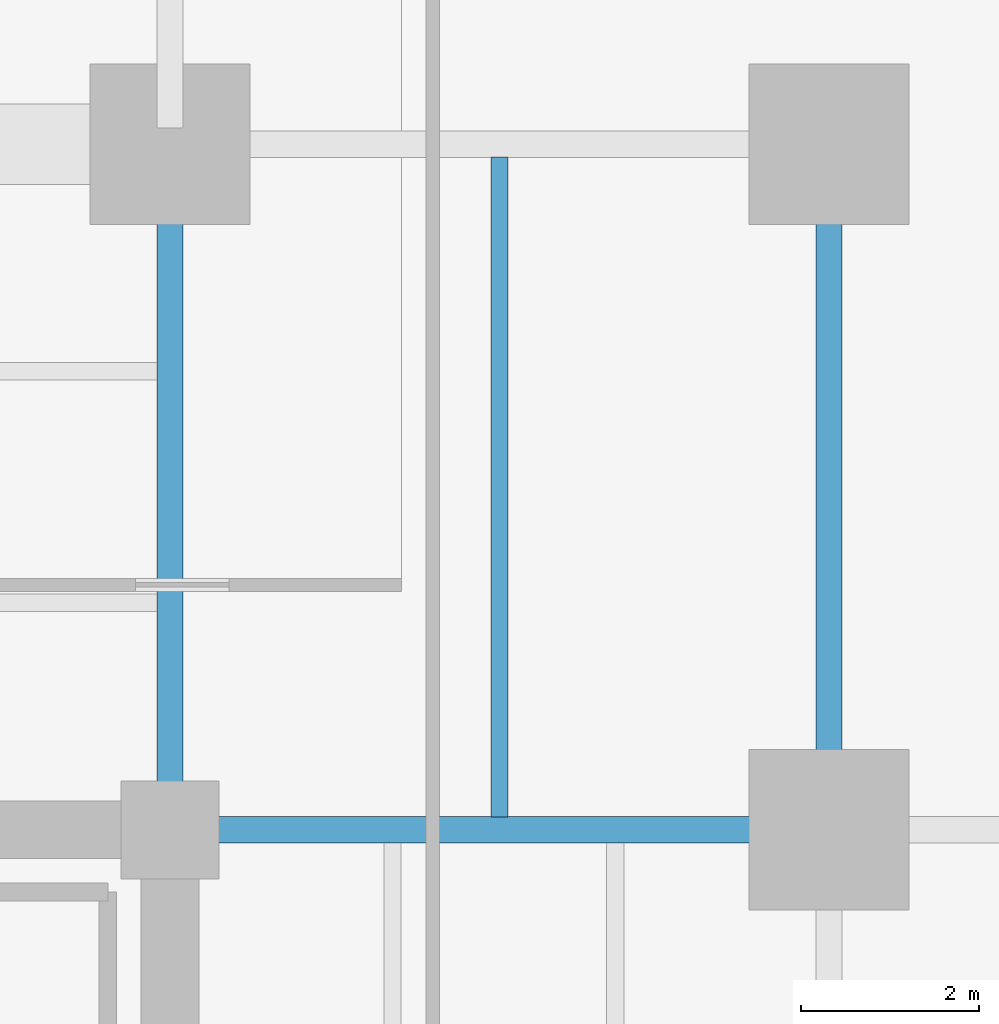
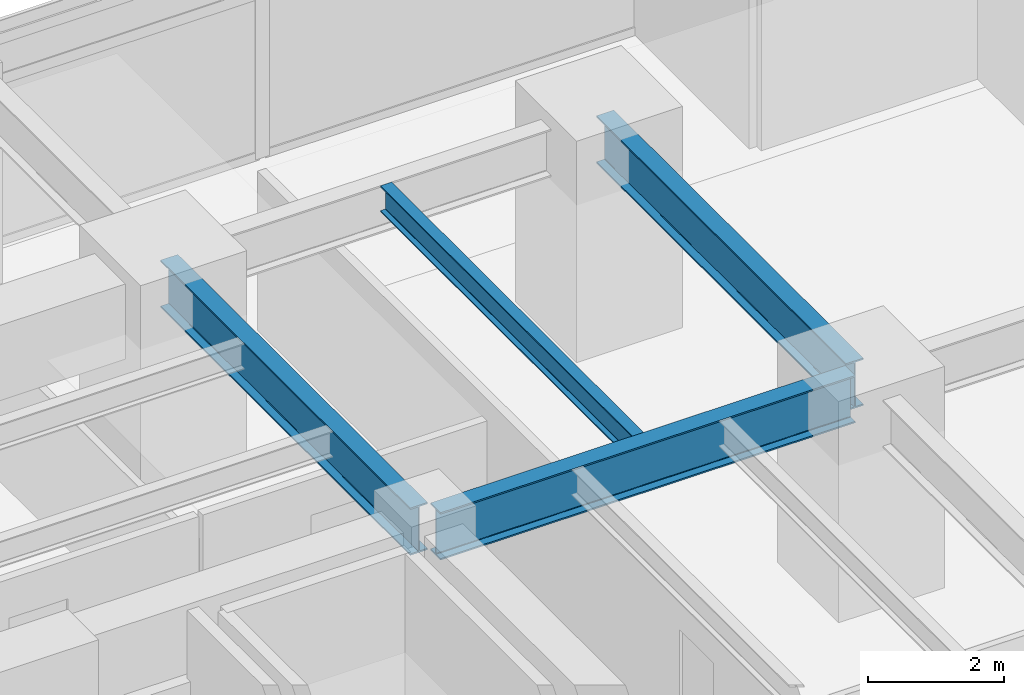
# One storey, part 12 of 24: 4 beams.
"""IFC4 building model written with IfcOpenShell, lengths in metres."""

from ifc_helpers import new_model, si_unit, direction, frame, origin, origin_2d, place, context, subcontext, project, spatial, i_section, extrude, material, material_profile, profile_set, type_object, element, save


model = new_model("IFC4")

# Units and contexts
model_context = context("Model", 3, precision=1e-05, world=origin(), true_north=direction((0.0, 1.0)))
body_context = subcontext(model_context, "Body", "Model", "MODEL_VIEW")
ifc_project = project(units=[si_unit("LENGTHUNIT", "METRE"), si_unit("AREAUNIT", "SQUARE_METRE"), si_unit("VOLUMEUNIT", "CUBIC_METRE"), si_unit("PLANEANGLEUNIT", "RADIAN"), si_unit("MASSUNIT", "GRAM", prefix="KILO")], contexts=[model_context])

# Site, building, storey
site_placement = place(None, origin())
site = spatial("IfcSite", under=ifc_project, at=site_placement, CompositionType="ELEMENT")
building_placement = place(site_placement, origin())
building = spatial("IfcBuilding", under=site, at=building_placement, Name="Kovane Verandah Tower", CompositionType="ELEMENT")
storey_placement = place(building_placement, frame((0.0, 0.0, 95.60009765625)))
storey = spatial("IfcBuildingStorey", under=building, at=storey_placement, Name="L22", CompositionType="ELEMENT", Elevation=95.60009765625)

# Beams
ifc_material = material(Name="Steel S355", Category="steel")
ifc_material_profile_1 = material_profile(ifc_material, i_section(OverallWidth=0.293701171875, OverallDepth=0.850830078125, WebThickness=0.01611328125, FlangeThickness=0.02685546875, FilletRadius=0.017822265625, at=origin_2d()), Name="UB838x292x226")
ifc_profile_set_1 = profile_set([ifc_material_profile_1], Name="Steel S355")
beam_type_1 = type_object("IfcBeamType", Name="BM-UB838x226", PredefinedType="BEAM", material=ifc_profile_set_1)
beam_1_placement = place(storey_placement, frame((58.39990234375, 36.679931640625, 3.33447265625), z_axis=(0.0, 1.0, 0.0), x_axis=(-1.0, 0.0, 0.0)))
element("IfcBeam", 1, at=beam_1_placement, inside=storey, type_object=beam_type_1, Name="L22 Primary Tower Girder G-RE3", PredefinedType="BEAM", context=body_context, shape_type="SweptSolid", body=[
    extrude(i_section(OverallWidth=0.293701171875, OverallDepth=0.850830078125, WebThickness=0.01611328125, FlangeThickness=0.02685546875, FilletRadius=0.017822265625, at=origin_2d()), origin(), (0.0, 0.0, 1.0), 7.340087890625),
])
beam_2_placement = place(storey_placement, frame((51.179931640625, 36.5, 3.33447265625), z_axis=(1.0, 0.0, 0.0), x_axis=(0.0, 1.0, 0.0)))
element("IfcBeam", 2, at=beam_2_placement, inside=storey, type_object=beam_type_1, Name="L22 Primary Tower Girder G-E2", PredefinedType="BEAM", context=body_context, shape_type="SweptSolid", body=[
    extrude(i_section(OverallWidth=0.293701171875, OverallDepth=0.850830078125, WebThickness=0.01611328125, FlangeThickness=0.02685546875, FilletRadius=0.017822265625, at=origin_2d()), origin(), (0.0, 0.0, 1.0), 7.0400390625),
])
beam_3_placement = place(storey_placement, frame((51.0, 36.679931640625, 3.33447265625), z_axis=(0.0, 1.0, 0.0), x_axis=(-1.0, 0.0, 0.0)))
element("IfcBeam", 3, at=beam_3_placement, inside=storey, type_object=beam_type_1, Name="L22 Primary Tower Girder G-N2", PredefinedType="BEAM", context=body_context, shape_type="SweptSolid", body=[
    extrude(i_section(OverallWidth=0.293701171875, OverallDepth=0.850830078125, WebThickness=0.01611328125, FlangeThickness=0.02685546875, FilletRadius=0.017822265625, at=origin_2d()), origin(), (0.0, 0.0, 1.0), 7.340087890625),
])
ifc_material_profile_2 = material_profile(ifc_material, i_section(OverallWidth=0.19287109375, OverallDepth=0.46728515625, WebThickness=0.011474609375, FlangeThickness=0.01953125, FilletRadius=0.01025390625, at=origin_2d()), Name="UB457x191x98")
ifc_profile_set_2 = profile_set([ifc_material_profile_2], Name="Steel S355")
beam_type_2 = type_object("IfcBeamType", Name="JST-UB457x98", PredefinedType="JOIST", material=ifc_profile_set_2)
beam_4_placement = place(storey_placement, frame((54.699951171875, 36.64501953125, 3.5263671875), z_axis=(0.0, 1.0, 0.0), x_axis=(-1.0, 0.0, 0.0)))
element("IfcBeam", 4, at=beam_4_placement, inside=storey, type_object=beam_type_2, Name="L22 Secondary Composite Joist J-NE1", PredefinedType="JOIST", context=body_context, shape_type="SweptSolid", body=[
    extrude(i_section(OverallWidth=0.19287109375, OverallDepth=0.46728515625, WebThickness=0.011474609375, FlangeThickness=0.01953125, FilletRadius=0.01025390625, at=origin_2d()), origin(), (0.0, 0.0, 1.0), 7.41015625),
])

save(model, "model.ifc")
